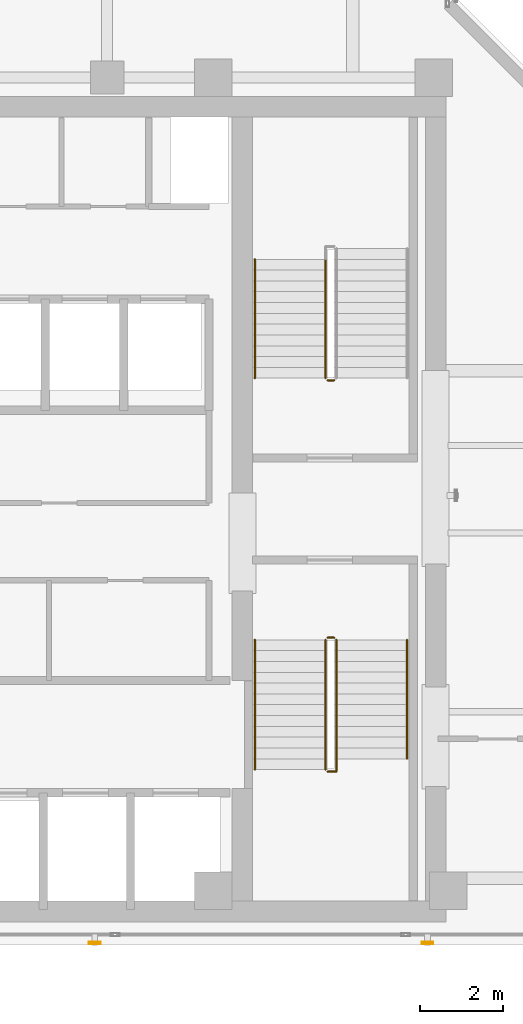
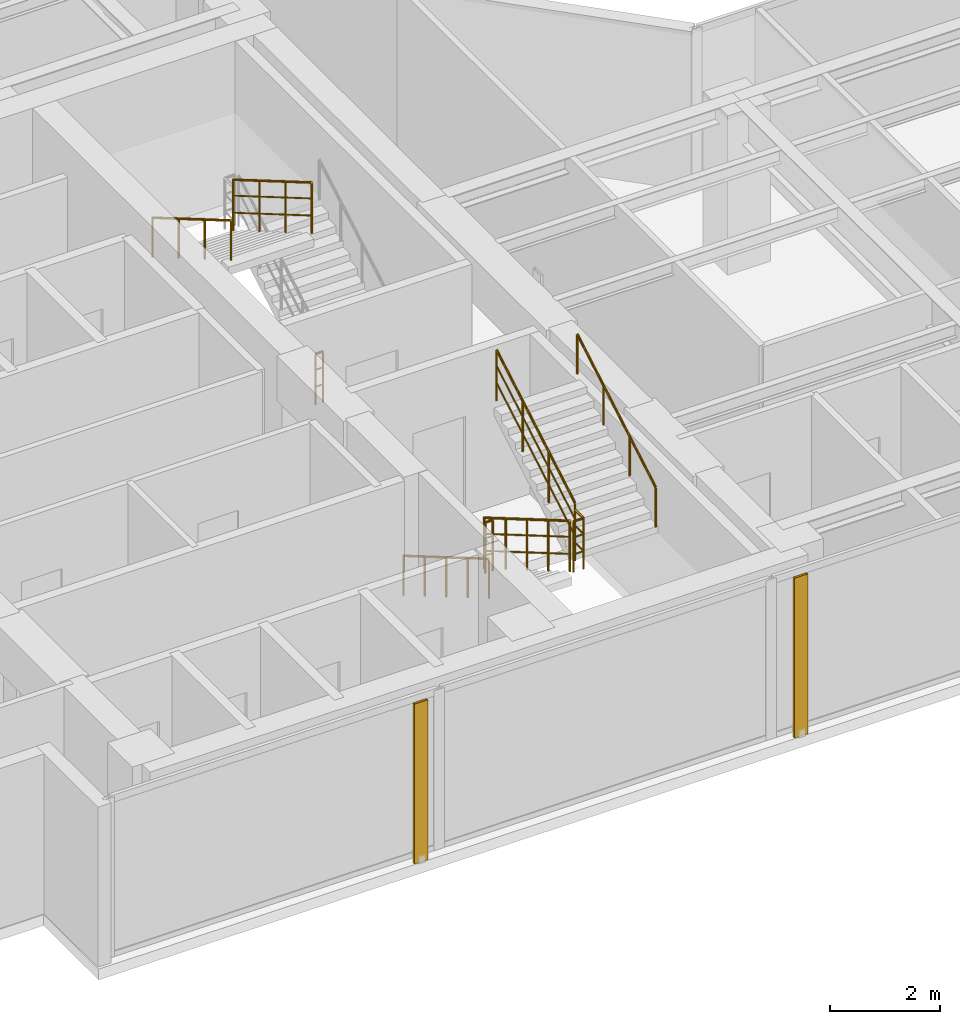
# One storey, part 19 of 23: 9 railings, 2 shading devices.
"""IFC4 building model written with IfcOpenShell, lengths in metres."""

from ifc_helpers import new_model, si_unit, direction, frame, origin, origin_2d, place, context, subcontext, project, spatial, hollow_rectangle, circle, extrude, material, material_profile, profile_set, type_object, element, save


model = new_model("IFC4")

# Units and contexts
model_context = context("Model", 3, precision=1e-05, world=origin(), true_north=direction((0.0, 1.0)))
body_context = subcontext(model_context, "Body", "Model", "MODEL_VIEW")
ifc_project = project(units=[si_unit("LENGTHUNIT", "METRE"), si_unit("AREAUNIT", "SQUARE_METRE"), si_unit("VOLUMEUNIT", "CUBIC_METRE"), si_unit("PLANEANGLEUNIT", "RADIAN"), si_unit("MASSUNIT", "GRAM", prefix="KILO")], contexts=[model_context])

# Site, building, storey
site_placement = place(None, origin())
site = spatial("IfcSite", under=ifc_project, at=site_placement, CompositionType="ELEMENT")
building_placement = place(site_placement, origin())
building = spatial("IfcBuilding", under=site, at=building_placement, Name="Kolvaren Waterfront Exchange", CompositionType="ELEMENT")
storey_placement = place(building_placement, frame((0.0, 0.0, 289.39990234375)))
storey = spatial("IfcBuildingStorey", under=building, at=storey_placement, Name="L74", CompositionType="ELEMENT", Elevation=289.39990234375)

# Shading devices
ifc_material_1 = material(Name="Anodised bronze aluminium 6063-T6", Category="aluminium")
ifc_material_profile = material_profile(ifc_material_1, hollow_rectangle(XDim=0.054931640625, YDim=0.280029296875, WallThickness=0.00439453125, at=origin_2d()), Name="BRZ-FIN-280x55x4.5")
ifc_profile_set = profile_set([ifc_material_profile], Name="Anodised bronze aluminium 6063-T6")
shading_device_type = type_object("IfcShadingDeviceType", Name="ARC-FIN-280", PredefinedType="USERDEFINED", material=ifc_profile_set)
for number, where, z_axis, x_axis, name in (
    (1, (12.60009765625, 3.639892578125, 0.0), (0.0, 0.0, 1.0), (0.0, -1.0, 0.0), "L74 anodised bronze solar shading fin FIN-L74-S1"),
    (2, (20.60009765625, 3.639892578125, 0.0), (0.0, 0.0, 1.0), (0.0, -1.0, 0.0), "L74 anodised bronze solar shading fin FIN-L74-S2"),
):
    element("IfcShadingDevice", number, at=place(storey_placement, frame(where, z_axis=z_axis, x_axis=x_axis)), inside=storey, type_object=shading_device_type, Name=name, ObjectType="SOLAR FIN", PredefinedType="USERDEFINED", context=body_context, shape_type="SweptSolid", body=[
        extrude(hollow_rectangle(XDim=0.054931640625, YDim=0.280029296875, WallThickness=0.00439453125, at=origin_2d()), origin(), (0.0, 0.0, 1.0), 3.56005859375),
    ])

# Railings
ifc_material_2 = material(Name="Stainless steel 316", Category="steel")
railing_type_1 = type_object("IfcRailingType", Name="ARC-GUARD-STAIR", PredefinedType="GUARDRAIL", material=ifc_material_2)
railing_1_placement = place(storey_placement, frame((18.14990234375, 10.929931640625, 0.152099609375)))
element("IfcRailing", 3, at=railing_1_placement, inside=storey, type_object=railing_type_1, Name="L74 ST1 stair guard 1", PredefinedType="GUARDRAIL", context=body_context, shape_type="SweptSolid", body=[
    extrude(circle(Radius=0.02392578125, at=origin_2d()), frame((0.0, 0.0, 1.1259765625), z_axis=(0.0, -0.86329090724, 0.504706656858), x_axis=(1.0, 0.0, 0.0)), (0.0, 0.0, 1.0), 3.614013671875),
    extrude(circle(Radius=0.01611328125, at=origin_2d()), frame((0.0, 0.0, 0.390869140625), z_axis=(0.0, -0.86329090724, 0.504706656858), x_axis=(1.0, 0.0, 0.0)), (0.0, 0.0, 1.0), 3.614013671875),
    extrude(circle(Radius=0.01611328125, at=origin_2d()), frame((0.0, 0.0, 0.7705078125), z_axis=(0.0, -0.86329090724, 0.504706656858), x_axis=(1.0, 0.0, 0.0)), (0.0, 0.0, 1.0), 3.614013671875),
    extrude(circle(Radius=0.02099609375, at=origin_2d()), origin(), (0.0, 0.0, 1.0), 1.101806640625),
    extrude(circle(Radius=0.02099609375, at=origin_2d()), frame((0.0, -0.780029296875, 0.4560546875)), (0.0, 0.0, 1.0), 1.101806640625),
    extrude(circle(Radius=0.02099609375, at=origin_2d()), frame((0.0, -1.56005859375, 0.912109375)), (0.0, 0.0, 1.0), 1.101806640625),
    extrude(circle(Radius=0.02099609375, at=origin_2d()), frame((0.0, -2.33984375, 1.367919921875)), (0.0, 0.0, 1.0), 1.101806640625),
    extrude(circle(Radius=0.02099609375, at=origin_2d()), frame((0.0, -3.119873046875, 1.823974609375)), (0.0, 0.0, 1.0), 1.101806640625),
])
railing_2_placement = place(storey_placement, frame((18.199951171875, 7.760009765625, 1.97607421875)))
element("IfcRailing", 4, at=railing_2_placement, inside=storey, type_object=railing_type_1, Name="L74 ST1 stair guard 2", PredefinedType="GUARDRAIL", context=body_context, shape_type="SweptSolid", body=[
    extrude(circle(Radius=0.02392578125, at=origin_2d()), frame((0.0, 0.0, 1.1259765625), z_axis=(1.0, 0.0, 0.0), x_axis=(0.0, 1.0, 0.0)), (0.0, 0.0, 1.0), 0.2099609375),
    extrude(circle(Radius=0.01611328125, at=origin_2d()), frame((0.0, 0.0, 0.390869140625), z_axis=(1.0, 0.0, 0.0), x_axis=(0.0, 1.0, 0.0)), (0.0, 0.0, 1.0), 0.2099609375),
    extrude(circle(Radius=0.01611328125, at=origin_2d()), frame((0.0, 0.0, 0.7705078125), z_axis=(1.0, 0.0, 0.0), x_axis=(0.0, 1.0, 0.0)), (0.0, 0.0, 1.0), 0.2099609375),
    extrude(circle(Radius=0.02392578125, at=origin_2d()), frame((0.2099609375, 0.0, 1.1259765625), z_axis=(0.0, 1.0, 0.0), x_axis=(-1.0, 0.0, 0.0)), (0.0, 0.0, 1.0), 0.31005859375),
    extrude(circle(Radius=0.01611328125, at=origin_2d()), frame((0.2099609375, 0.0, 0.390869140625), z_axis=(0.0, 1.0, 0.0), x_axis=(-1.0, 0.0, 0.0)), (0.0, 0.0, 1.0), 0.31005859375),
    extrude(circle(Radius=0.01611328125, at=origin_2d()), frame((0.2099609375, 0.0, 0.7705078125), z_axis=(0.0, 1.0, 0.0), x_axis=(-1.0, 0.0, 0.0)), (0.0, 0.0, 1.0), 0.31005859375),
    extrude(circle(Radius=0.02099609375, at=origin_2d()), origin(), (0.0, 0.0, 1.0), 1.101806640625),
    extrude(circle(Radius=0.02099609375, at=origin_2d()), frame((0.2099609375, 0.0, 0.0)), (0.0, 0.0, 1.0), 1.101806640625),
    extrude(circle(Radius=0.02099609375, at=origin_2d()), frame((0.2099609375, 0.31005859375, 0.0)), (0.0, 0.0, 1.0), 1.101806640625),
])
railing_3_placement = place(storey_placement, frame((18.409912109375, 8.070068359375, 2.128173828125)))
element("IfcRailing", 5, at=railing_3_placement, inside=storey, type_object=railing_type_1, Name="L74 ST1 stair guard 3", PredefinedType="GUARDRAIL", context=body_context, shape_type="SweptSolid", body=[
    extrude(circle(Radius=0.02392578125, at=origin_2d()), frame((0.0, 0.0, 1.1259765625), z_axis=(0.0, 0.86330272217, 0.504686447108), x_axis=(-1.0, 0.0, 0.0)), (0.0, 0.0, 1.0), 3.312744140625),
    extrude(circle(Radius=0.01611328125, at=origin_2d()), frame((0.0, 0.0, 0.390869140625), z_axis=(0.0, 0.86330272217, 0.504686447108), x_axis=(-1.0, 0.0, 0.0)), (0.0, 0.0, 1.0), 3.312744140625),
    extrude(circle(Radius=0.01611328125, at=origin_2d()), frame((0.0, 0.0, 0.7705078125), z_axis=(0.0, 0.86330272217, 0.504686447108), x_axis=(-1.0, 0.0, 0.0)), (0.0, 0.0, 1.0), 3.312744140625),
    extrude(circle(Radius=0.02099609375, at=origin_2d()), origin(), (0.0, 0.0, 1.0), 1.101806640625),
    extrude(circle(Radius=0.02099609375, at=origin_2d()), frame((0.0, 0.953369140625, 0.557373046875)), (0.0, 0.0, 1.0), 1.101806640625),
    extrude(circle(Radius=0.02099609375, at=origin_2d()), frame((0.0, 1.906494140625, 1.114501953125)), (0.0, 0.0, 1.0), 1.101806640625),
    extrude(circle(Radius=0.02099609375, at=origin_2d()), frame((0.0, 2.85986328125, 1.671875)), (0.0, 0.0, 1.0), 1.101806640625),
])
railing_4_placement = place(storey_placement, frame((18.199951171875, 10.97998046875, 0.0)))
element("IfcRailing", 6, at=railing_4_placement, inside=storey, type_object=railing_type_1, Name="L74 ST1 stair guard 4", PredefinedType="GUARDRAIL", context=body_context, shape_type="SweptSolid", body=[
    extrude(circle(Radius=0.02392578125, at=origin_2d()), frame((0.0, 0.0, 1.1259765625), z_axis=(1.0, 0.0, 0.0), x_axis=(0.0, 1.0, 0.0)), (0.0, 0.0, 1.0), 0.16015625),
    extrude(circle(Radius=0.01611328125, at=origin_2d()), frame((0.0, 0.0, 0.390869140625), z_axis=(1.0, 0.0, 0.0), x_axis=(0.0, 1.0, 0.0)), (0.0, 0.0, 1.0), 0.16015625),
    extrude(circle(Radius=0.01611328125, at=origin_2d()), frame((0.0, 0.0, 0.7705078125), z_axis=(1.0, 0.0, 0.0), x_axis=(0.0, 1.0, 0.0)), (0.0, 0.0, 1.0), 0.16015625),
    extrude(circle(Radius=0.02099609375, at=origin_2d()), origin(), (0.0, 0.0, 1.0), 1.101806640625),
    extrude(circle(Radius=0.02099609375, at=origin_2d()), frame((0.16015625, 0.0, 0.0)), (0.0, 0.0, 1.0), 1.101806640625),
])
railing_5_placement = place(storey_placement, frame((18.14990234375, 20.080078125, 2.128173828125)))
element("IfcRailing", 7, at=railing_5_placement, inside=storey, type_object=railing_type_1, Name="L74 ST2 stair guard 3", PredefinedType="GUARDRAIL", context=body_context, shape_type="SweptSolid", body=[
    extrude(circle(Radius=0.02392578125, at=origin_2d()), frame((0.0, 0.0, 1.1259765625), z_axis=(0.0, -0.863321491973, 0.504654338629), x_axis=(1.0, 0.0, 0.0)), (0.0, 0.0, 1.0), 3.31298828125),
    extrude(circle(Radius=0.01611328125, at=origin_2d()), frame((0.0, 0.0, 0.390869140625), z_axis=(0.0, -0.863321491973, 0.504654338629), x_axis=(1.0, 0.0, 0.0)), (0.0, 0.0, 1.0), 3.31298828125),
    extrude(circle(Radius=0.01611328125, at=origin_2d()), frame((0.0, 0.0, 0.7705078125), z_axis=(0.0, -0.863321491973, 0.504654338629), x_axis=(1.0, 0.0, 0.0)), (0.0, 0.0, 1.0), 3.31298828125),
    extrude(circle(Radius=0.02099609375, at=origin_2d()), origin(), (0.0, 0.0, 1.0), 1.101806640625),
    extrude(circle(Radius=0.02099609375, at=origin_2d()), frame((0.0, -0.953369140625, 0.557373046875)), (0.0, 0.0, 1.0), 1.101806640625),
    extrude(circle(Radius=0.02099609375, at=origin_2d()), frame((0.0, -1.90673828125, 1.114501953125)), (0.0, 0.0, 1.0), 1.101806640625),
    extrude(circle(Radius=0.02099609375, at=origin_2d()), frame((0.0, -2.860107421875, 1.671875)), (0.0, 0.0, 1.0), 1.101806640625),
])
railing_6_placement = place(storey_placement, frame((18.360107421875, 17.169921875, 0.0)))
element("IfcRailing", 8, at=railing_6_placement, inside=storey, type_object=railing_type_1, Name="L74 ST2 stair guard 4", PredefinedType="GUARDRAIL", context=body_context, shape_type="SweptSolid", body=[
    extrude(circle(Radius=0.02392578125, at=origin_2d()), frame((0.0, 0.0, 1.1259765625), z_axis=(-1.0, 0.0, 0.0), x_axis=(0.0, -1.0, 0.0)), (0.0, 0.0, 1.0), 0.16015625),
    extrude(circle(Radius=0.01611328125, at=origin_2d()), frame((0.0, 0.0, 0.390869140625), z_axis=(-1.0, 0.0, 0.0), x_axis=(0.0, -1.0, 0.0)), (0.0, 0.0, 1.0), 0.16015625),
    extrude(circle(Radius=0.01611328125, at=origin_2d()), frame((0.0, 0.0, 0.7705078125), z_axis=(-1.0, 0.0, 0.0), x_axis=(0.0, -1.0, 0.0)), (0.0, 0.0, 1.0), 0.16015625),
    extrude(circle(Radius=0.02099609375, at=origin_2d()), origin(), (0.0, 0.0, 1.0), 1.101806640625),
    extrude(circle(Radius=0.02099609375, at=origin_2d()), frame((-0.16015625, 0.0, 0.0)), (0.0, 0.0, 1.0), 1.101806640625),
])
railing_type_2 = type_object("IfcRailingType", Name="ARC-HANDRAIL-900", PredefinedType="HANDRAIL", material=ifc_material_2)
railing_7_placement = place(storey_placement, frame((16.449951171875, 10.929931640625, 0.152099609375)))
element("IfcRailing", 9, at=railing_7_placement, inside=storey, type_object=railing_type_2, Name="L74 ST1 stair handrail 1", PredefinedType="HANDRAIL", context=body_context, shape_type="SweptSolid", body=[
    extrude(circle(Radius=0.02392578125, at=origin_2d()), frame((0.0, 0.0, 0.8759765625), z_axis=(0.0, -0.86329090724, 0.504706656858), x_axis=(1.0, 0.0, 0.0)), (0.0, 0.0, 1.0), 3.614013671875),
    extrude(circle(Radius=0.02099609375, at=origin_2d()), origin(), (0.0, 0.0, 1.0), 0.851806640625),
    extrude(circle(Radius=0.02099609375, at=origin_2d()), frame((0.0, -0.780029296875, 0.4560546875)), (0.0, 0.0, 1.0), 0.851806640625),
    extrude(circle(Radius=0.02099609375, at=origin_2d()), frame((0.0, -1.56005859375, 0.912109375)), (0.0, 0.0, 1.0), 0.851806640625),
    extrude(circle(Radius=0.02099609375, at=origin_2d()), frame((0.0, -2.33984375, 1.367919921875)), (0.0, 0.0, 1.0), 0.851806640625),
    extrude(circle(Radius=0.02099609375, at=origin_2d()), frame((0.0, -3.119873046875, 1.823974609375)), (0.0, 0.0, 1.0), 0.851806640625),
])
railing_8_placement = place(storey_placement, frame((20.110107421875, 8.070068359375, 2.128173828125)))
element("IfcRailing", 10, at=railing_8_placement, inside=storey, type_object=railing_type_2, Name="L74 ST1 stair handrail 2", PredefinedType="HANDRAIL", context=body_context, shape_type="SweptSolid", body=[
    extrude(circle(Radius=0.02392578125, at=origin_2d()), frame((0.0, 0.0, 0.8759765625), z_axis=(0.0, 0.86330272217, 0.504686447108), x_axis=(-1.0, 0.0, 0.0)), (0.0, 0.0, 1.0), 3.312744140625),
    extrude(circle(Radius=0.02099609375, at=origin_2d()), origin(), (0.0, 0.0, 1.0), 0.851806640625),
    extrude(circle(Radius=0.02099609375, at=origin_2d()), frame((0.0, 0.953369140625, 0.557373046875)), (0.0, 0.0, 1.0), 0.851806640625),
    extrude(circle(Radius=0.02099609375, at=origin_2d()), frame((0.0, 1.906494140625, 1.114501953125)), (0.0, 0.0, 1.0), 0.851806640625),
    extrude(circle(Radius=0.02099609375, at=origin_2d()), frame((0.0, 2.85986328125, 1.671875)), (0.0, 0.0, 1.0), 0.851806640625),
])
railing_9_placement = place(storey_placement, frame((16.449951171875, 20.080078125, 2.128173828125)))
element("IfcRailing", 11, at=railing_9_placement, inside=storey, type_object=railing_type_2, Name="L74 ST2 stair handrail 2", PredefinedType="HANDRAIL", context=body_context, shape_type="SweptSolid", body=[
    extrude(circle(Radius=0.02392578125, at=origin_2d()), frame((0.0, 0.0, 0.8759765625), z_axis=(0.0, -0.863321491973, 0.504654338629), x_axis=(1.0, 0.0, 0.0)), (0.0, 0.0, 1.0), 3.31298828125),
    extrude(circle(Radius=0.02099609375, at=origin_2d()), origin(), (0.0, 0.0, 1.0), 0.851806640625),
    extrude(circle(Radius=0.02099609375, at=origin_2d()), frame((0.0, -0.953369140625, 0.557373046875)), (0.0, 0.0, 1.0), 0.851806640625),
    extrude(circle(Radius=0.02099609375, at=origin_2d()), frame((0.0, -1.90673828125, 1.114501953125)), (0.0, 0.0, 1.0), 0.851806640625),
    extrude(circle(Radius=0.02099609375, at=origin_2d()), frame((0.0, -2.860107421875, 1.671875)), (0.0, 0.0, 1.0), 0.851806640625),
])

save(model, "model.ifc")
